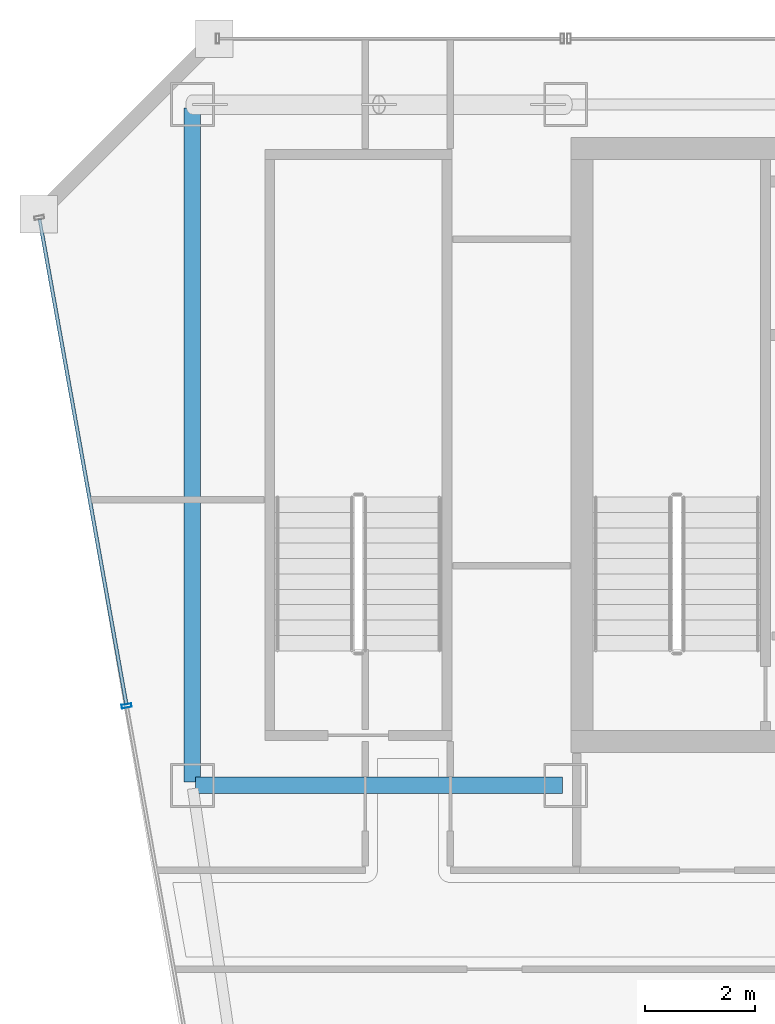
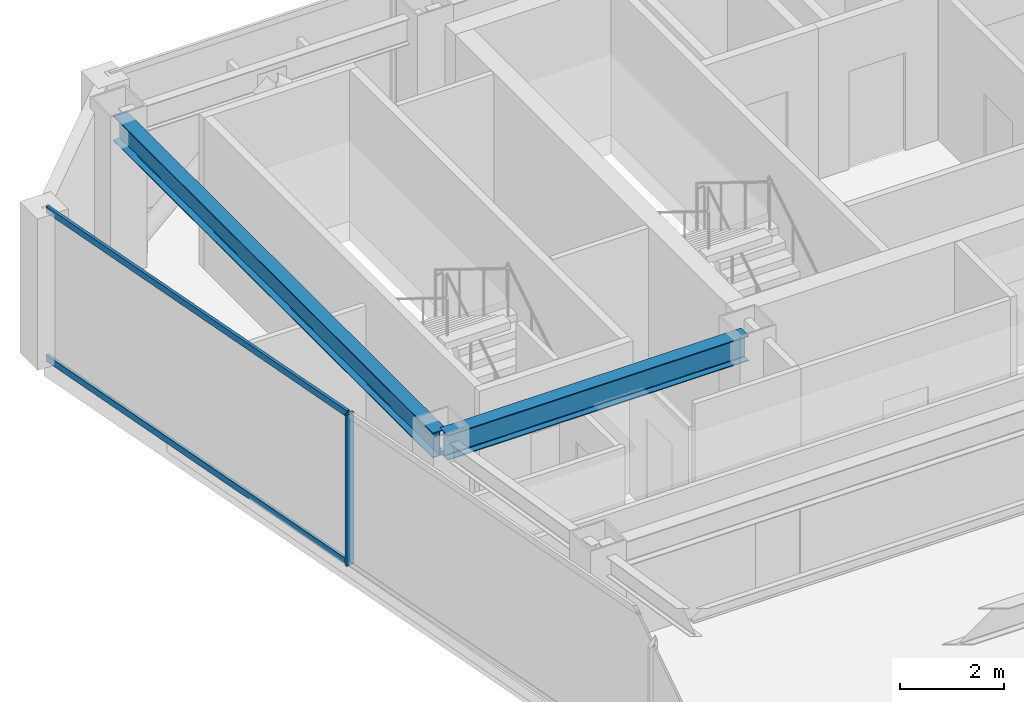
# One storey, part 7 of 28: 3 members, 2 beams, 1 element without a shape of its own.
"""IFC4 building model written with IfcOpenShell, lengths in metres."""

from ifc_helpers import new_model, si_unit, direction, frame, origin, origin_2d, place, context, subcontext, project, spatial, hollow_rectangle, i_section, extrude, material, material_profile, profile_set, type_object, element, aggregate, save


model = new_model("IFC4")

# Units and contexts
model_context = context("Model", 3, precision=1e-05, world=origin(), true_north=direction((0.0, 1.0)))
body_context = subcontext(model_context, "Body", "Model", "MODEL_VIEW")
ifc_project = project(units=[si_unit("LENGTHUNIT", "METRE"), si_unit("AREAUNIT", "SQUARE_METRE"), si_unit("VOLUMEUNIT", "CUBIC_METRE"), si_unit("PLANEANGLEUNIT", "RADIAN"), si_unit("MASSUNIT", "GRAM", prefix="KILO")], contexts=[model_context])

# Site, building, storey
site_placement = place(None, origin())
site = spatial("IfcSite", under=ifc_project, at=site_placement, CompositionType="ELEMENT")
building_placement = place(site_placement, origin())
building = spatial("IfcBuilding", under=site, at=building_placement, Name="Saevonmaru Cultural Tower", CompositionType="ELEMENT")
storey_placement = place(building_placement, frame((0.0, 0.0, 253.39990234375)))
storey = spatial("IfcBuildingStorey", under=building, at=storey_placement, Name="L59", CompositionType="ELEMENT", Elevation=253.39990234375)

# Beams
ifc_material_1 = material(Name="Steel SM355", Category="steel")
ifc_material_profile_1 = material_profile(ifc_material_1, i_section(OverallWidth=0.300048828125, OverallDepth=0.587890625, WebThickness=0.011962890625, FlangeThickness=0.02001953125, FilletRadius=0.02392578125, at=origin_2d()), Name="H-588x300x12x20")
ifc_profile_set_1 = profile_set([ifc_material_profile_1], Name="Steel SM355")
beam_type = type_object("IfcBeamType", Name="BM-G-H588", PredefinedType="BEAM", material=ifc_profile_set_1)
beam_1_placement = place(storey_placement, frame((6.860107421875, 42.39990234375, 3.256103515625), z_axis=(1.0, 0.0, 0.0), x_axis=(0.0, 1.0, 0.0)))
element("IfcBeam", 1, at=beam_1_placement, inside=storey, type_object=beam_type, Name="L59 Core South Girder 1", PredefinedType="BEAM", context=body_context, shape_type="SweptSolid", body=[
    extrude(i_section(OverallWidth=0.300048828125, OverallDepth=0.587890625, WebThickness=0.011962890625, FlangeThickness=0.02001953125, FilletRadius=0.02392578125, at=origin_2d()), origin(), (0.0, 0.0, 1.0), 6.679931640625),
])
beam_2_placement = place(storey_placement, frame((6.800048828125, 54.739990234375, 3.256103515625), z_axis=(0.0, -1.0, 0.0), x_axis=(1.0, 0.0, 0.0)))
element("IfcBeam", 2, at=beam_2_placement, inside=storey, type_object=beam_type, Name="L59 Spine Transverse Girder W", PredefinedType="BEAM", context=body_context, shape_type="SweptSolid", body=[
    extrude(i_section(OverallWidth=0.300048828125, OverallDepth=0.587890625, WebThickness=0.011962890625, FlangeThickness=0.02001953125, FilletRadius=0.02392578125, at=origin_2d()), origin(), (0.0, 0.0, 1.0), 12.280029296875),
])

# Curtain wall, members
ifc_material_2 = material(Name="Satin Bronze Anodised Aluminium", Category="aluminium")
curtain_wall_type = type_object("IfcCurtainWallType", Name="CW-TYP-B", PredefinedType="NOTDEFINED", material=ifc_material_2)
curtain_wall_placement = place(storey_placement, origin())
curtain_wall = element("IfcCurtainWall", 3, at=curtain_wall_placement, inside=storey, type_object=curtain_wall_type, Name="L59 Unitised Curtain Wall E12", PredefinedType="NOTDEFINED")
ifc_material_profile_2 = material_profile(ifc_material_2, hollow_rectangle(XDim=0.06494140625, YDim=0.179931640625, WallThickness=0.00390625, at=origin_2d()), Name="ALU-MULL-180x65x4")
ifc_profile_set_2 = profile_set([ifc_material_profile_2], Name="Satin Bronze Anodised Aluminium")
member_type_1 = type_object("IfcMemberType", Name="ML-CW-180x65", PredefinedType="MULLION", material=ifc_profile_set_2)
member_1_placement = place(storey_placement, frame((5.60205078125, 43.846923828125, 0.0), z_axis=(0.0, 0.0, 1.0), x_axis=(0.176140740755, -0.984364993001, 0.0)))
member_1 = element("IfcMember", 4, at=member_1_placement, type_object=member_type_1, Name="CW-TW-L59-E12 mullion 2", PredefinedType="MULLION", context=body_context, shape_type="SweptSolid", body=[
    extrude(hollow_rectangle(XDim=0.06494140625, YDim=0.179931640625, WallThickness=0.00390625, at=origin_2d()), origin(), (0.0, 0.0, 1.0), 3.550048828125),
])
ifc_material_profile_3 = material_profile(ifc_material_2, hollow_rectangle(XDim=0.06494140625, YDim=0.14990234375, WallThickness=0.00390625, at=origin_2d()), Name="ALU-TRAN-150x65x4")
ifc_profile_set_3 = profile_set([ifc_material_profile_3], Name="Satin Bronze Anodised Aluminium")
member_type_2 = type_object("IfcMemberType", Name="TR-CW-150x65", PredefinedType="USERDEFINED", material=ifc_profile_set_3)
member_2_placement = place(storey_placement, frame((4.016357421875, 52.708984375, 0.03271484375), z_axis=(0.176144810911, -0.984364264685, 0.0), x_axis=(0.984364264685, 0.176144810911, 0.0)))
member_2 = element("IfcMember", 5, at=member_2_placement, type_object=member_type_2, Name="CW-TW-L59-E12 transom 1.1", ObjectType="TRANSOM", PredefinedType="USERDEFINED", context=body_context, shape_type="SweptSolid", body=[
    extrude(hollow_rectangle(XDim=0.06494140625, YDim=0.14990234375, WallThickness=0.00390625, at=origin_2d()), origin(), (0.0, 0.0, 1.0), 8.97021484375),
])
member_3_placement = place(storey_placement, frame((4.016357421875, 52.708984375, 3.517578125), z_axis=(0.176144810911, -0.984364264685, 0.0), x_axis=(0.984364264685, 0.176144810911, 0.0)))
member_3 = element("IfcMember", 6, at=member_3_placement, type_object=member_type_2, Name="CW-TW-L59-E12 transom 1.2", ObjectType="TRANSOM", PredefinedType="USERDEFINED", context=body_context, shape_type="SweptSolid", body=[
    extrude(hollow_rectangle(XDim=0.06494140625, YDim=0.14990234375, WallThickness=0.00390625, at=origin_2d()), origin(), (0.0, 0.0, 1.0), 8.97021484375),
])
aggregate(curtain_wall, [member_1, member_2, member_3])

save(model, "model.ifc")
